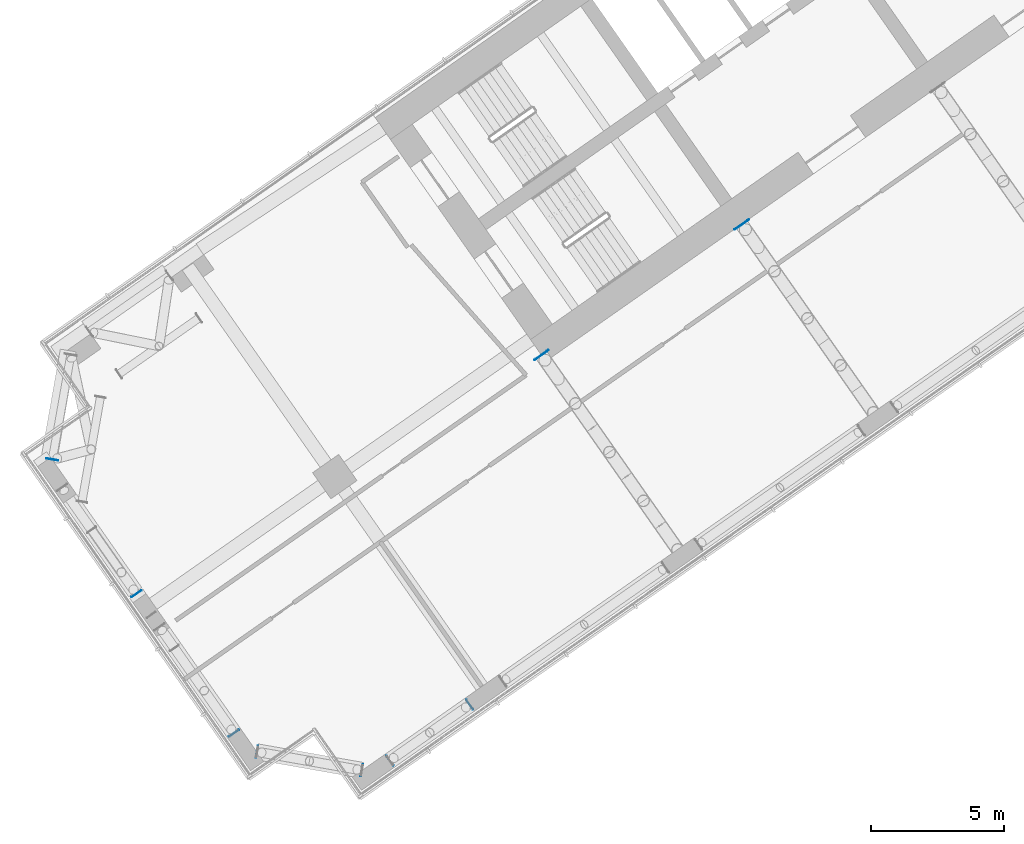
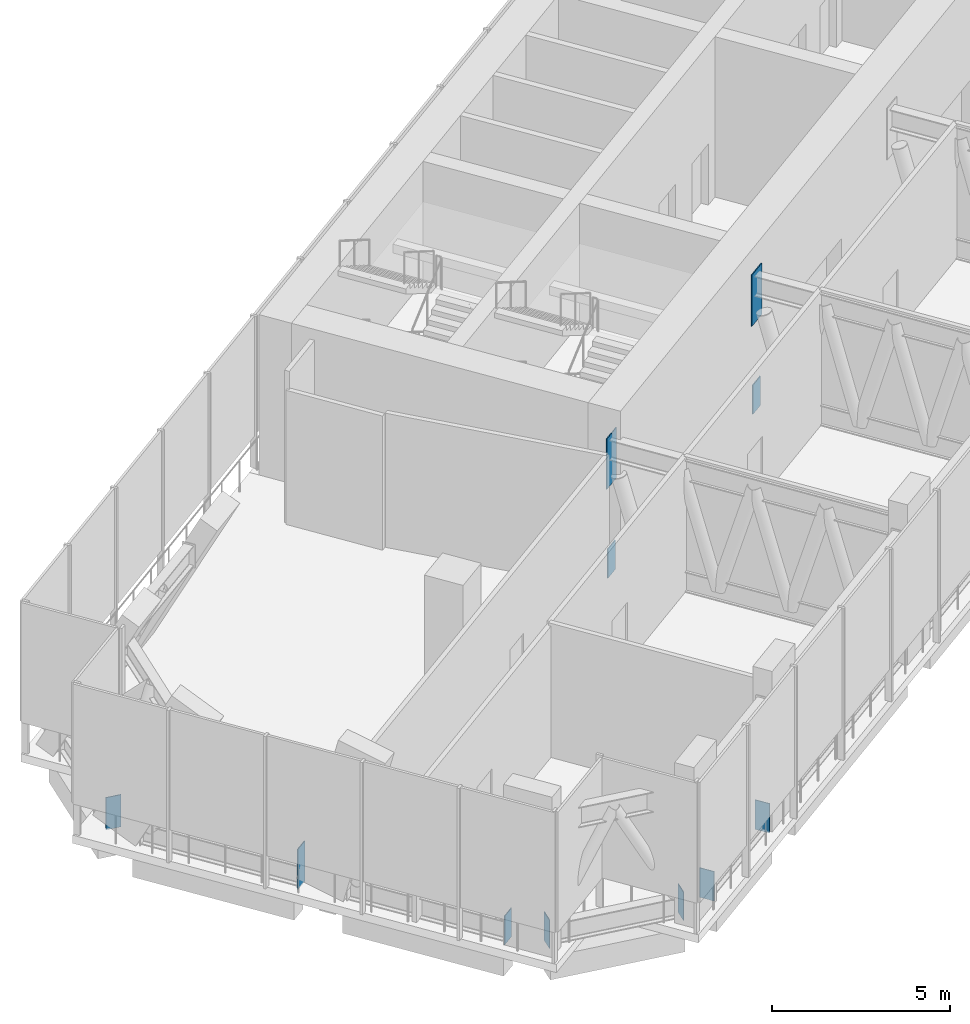
# One storey, part 9 of 24: 11 discrete accessories.
"""IFC4 building model written with IfcOpenShell, lengths in metres."""

from ifc_helpers import new_model, si_unit, direction, frame, origin, origin_2d, place, context, subcontext, project, spatial, rectangle, extrude, material, layer, layer_set, type_object, element, save


model = new_model("IFC4")

# Units and contexts
model_context = context("Model", 3, precision=1e-05, world=origin(), true_north=direction((0.0, 1.0)))
body_context = subcontext(model_context, "Body", "Model", "MODEL_VIEW")
ifc_project = project(units=[si_unit("LENGTHUNIT", "METRE"), si_unit("AREAUNIT", "SQUARE_METRE"), si_unit("VOLUMEUNIT", "CUBIC_METRE"), si_unit("PLANEANGLEUNIT", "RADIAN"), si_unit("MASSUNIT", "GRAM", prefix="KILO")], contexts=[model_context])

# Site, building, storey
site_placement = place(None, origin())
site = spatial("IfcSite", under=ifc_project, at=site_placement, CompositionType="ELEMENT")
building_placement = place(site_placement, origin())
building = spatial("IfcBuilding", under=site, at=building_placement, Name="Tel Ilan Convention Tower", CompositionType="ELEMENT")
storey_placement = place(building_placement, frame((0.0, 0.0, 126.5)))
storey = spatial("IfcBuildingStorey", under=building, at=storey_placement, Name="L28", CompositionType="ELEMENT", Elevation=126.5)

# Discrete accessories
ifc_material_1 = material(Name="Steel S355", Category="steel")
ifc_layer_1 = layer(ifc_material_1, 0.030029296875)
ifc_layer_set_1 = layer_set([ifc_layer_1], Name="Cast-in Plate 30 mm Steel S355")
discrete_accessory_type_1 = type_object("IfcDiscreteAccessoryType", Name="Cast-in Plate 30 mm Steel S355", PredefinedType="ANCHORPLATE", material=ifc_layer_set_1)
discrete_accessory_1_placement = place(storey_placement, frame((-14.16259765625, -11.15576171875, -0.14990234375), z_axis=(0.0, 0.0, 1.0), x_axis=(-0.573576436351, 0.819152044289, 0.0)))
element("IfcDiscreteAccessory", 1, at=discrete_accessory_1_placement, inside=storey, type_object=discrete_accessory_type_1, Name="L28 W-F2 outrigger cast-in plate", PredefinedType="ANCHORPLATE", context=body_context, shape_type="SweptSolid", body=[
    extrude(rectangle(XDim=0.030029296875, YDim=0.5, at=origin_2d()), origin(), (0.0, 0.0, 1.0), 1.0),
])
discrete_accessory_2_placement = place(storey_placement, frame((-14.16259765625, -11.15576171875, 2.90869140625), z_axis=(0.0, 0.0, 1.0), x_axis=(-0.573576436351, 0.819152044289, 0.0)))
element("IfcDiscreteAccessory", 2, at=discrete_accessory_2_placement, inside=storey, type_object=discrete_accessory_type_1, Name="L28 W-F2 outrigger cast-in plate", PredefinedType="ANCHORPLATE", context=body_context, shape_type="SweptSolid", body=[
    extrude(rectangle(XDim=0.030029296875, YDim=0.656982421875, at=origin_2d()), origin(), (0.0, 0.0, 1.0), 1.76123046875),
])
discrete_accessory_3_placement = place(storey_placement, frame((-21.70703125, -16.072265625, -0.14990234375), z_axis=(0.0, 0.0, 1.0), x_axis=(-0.573576436351, 0.819152044289, 0.0)))
element("IfcDiscreteAccessory", 3, at=discrete_accessory_3_placement, inside=storey, type_object=discrete_accessory_type_1, Name="L28 W-F3 outrigger cast-in plate", PredefinedType="ANCHORPLATE", context=body_context, shape_type="SweptSolid", body=[
    extrude(rectangle(XDim=0.030029296875, YDim=0.5, at=origin_2d()), origin(), (0.0, 0.0, 1.0), 1.0),
])
discrete_accessory_4_placement = place(storey_placement, frame((-21.70703125, -16.072265625, 2.9404296875), z_axis=(0.0, 0.0, 1.0), x_axis=(-0.573576436351, 0.819152044289, 0.0)))
element("IfcDiscreteAccessory", 4, at=discrete_accessory_4_placement, inside=storey, type_object=discrete_accessory_type_1, Name="L28 W-F3 outrigger cast-in plate", PredefinedType="ANCHORPLATE", context=body_context, shape_type="SweptSolid", body=[
    extrude(rectangle(XDim=0.030029296875, YDim=0.656982421875, at=origin_2d()), origin(), (0.0, 0.0, 1.0), 1.729736328125),
])
ifc_material_2 = material(Name="Steel S355", Category="steel")
ifc_layer_2 = layer(ifc_material_2, 0.02490234375)
ifc_layer_set_2 = layer_set([ifc_layer_2], Name="End Plate 25 mm Steel S355")
discrete_accessory_type_2 = type_object("IfcDiscreteAccessoryType", Name="End Plate 25 mm Steel S355", PredefinedType="BRACKET", material=ifc_layer_set_2)
for number, where, z_axis, x_axis, name in (
    (5, (-27.41748046875, -31.344482421875, -0.050048828125), (0.0, 0.0, 1.0), (-0.819152044289, -0.573576436351, 0.0), "L28 W-F4-W-FC belt end plate"),
    (6, (-24.406982421875, -29.23681640625, -0.050048828125), (0.0, 0.0, 1.0), (0.819152044289, 0.573576436351, 0.0), "L28 W-F4-W-FC belt end plate"),
):
    element("IfcDiscreteAccessory", number, at=place(storey_placement, frame(where, z_axis=z_axis, x_axis=x_axis)), inside=storey, type_object=discrete_accessory_type_2, Name=name, PredefinedType="BRACKET", context=body_context, shape_type="SweptSolid", body=[
        extrude(rectangle(XDim=0.02490234375, YDim=0.45556640625, at=origin_2d()), origin(), (0.0, 0.0, 1.0), 1.009765625),
    ])
for number, where, z_axis, x_axis, name in (
    (7, (-32.416748046875, -31.010498046875, -0.05029296875), (0.0, 0.0, 1.0), (-0.984807753012, 0.173648177667, 0.0), "L28 W-FC-W-E1 belt end plate"),
    (8, (-28.47216796875, -31.7060546875, -0.05029296875), (0.0, 0.0, 1.0), (0.984807753012, -0.173648177667, 0.0), "L28 W-FC-W-E1 belt end plate"),
):
    element("IfcDiscreteAccessory", number, at=place(storey_placement, frame(where, z_axis=z_axis, x_axis=x_axis)), inside=storey, type_object=discrete_accessory_type_2, Name=name, PredefinedType="BRACKET", context=body_context, shape_type="SweptSolid", body=[
        extrude(rectangle(XDim=0.02490234375, YDim=0.45556640625, at=origin_2d()), origin(), (0.0, 0.0, 1.0), 0.973388671875),
    ])
discrete_accessory_5_placement = place(storey_placement, frame((-33.2841796875, -30.31005859375, -0.050048828125), z_axis=(0.0, 0.0, 1.0), x_axis=(0.573576436351, -0.819152044289, 0.0)))
element("IfcDiscreteAccessory", 9, at=discrete_accessory_5_placement, inside=storey, type_object=discrete_accessory_type_2, Name="L28 W-E1-W-E2 belt end plate", PredefinedType="BRACKET", context=body_context, shape_type="SweptSolid", body=[
    extrude(rectangle(XDim=0.02490234375, YDim=0.45556640625, at=origin_2d()), origin(), (0.0, 0.0, 1.0), 0.98291015625),
])
discrete_accessory_6_placement = place(storey_placement, frame((-36.96142578125, -25.05859375, -0.050048828125), z_axis=(0.0, 0.0, 1.0), x_axis=(0.573576436351, -0.819152044289, 0.0)))
element("IfcDiscreteAccessory", 10, at=discrete_accessory_6_placement, inside=storey, type_object=discrete_accessory_type_2, Name="L28 W-E2-W-E3 belt end plate", PredefinedType="BRACKET", context=body_context, shape_type="SweptSolid", body=[
    extrude(rectangle(XDim=0.02490234375, YDim=0.45556640625, at=origin_2d()), origin(), (0.0, 0.0, 1.0), 1.3828125),
])
discrete_accessory_7_placement = place(storey_placement, frame((-40.125244140625, -20.00146484375, -0.050048828125), z_axis=(0.0, 0.0, 1.0), x_axis=(-0.173648177667, -0.984807753012, 0.0)))
element("IfcDiscreteAccessory", 11, at=discrete_accessory_7_placement, inside=storey, type_object=discrete_accessory_type_2, Name="L28 W-E3-W-BC belt end plate", PredefinedType="BRACKET", context=body_context, shape_type="SweptSolid", body=[
    extrude(rectangle(XDim=0.02490234375, YDim=0.45556640625, at=origin_2d()), origin(), (0.0, 0.0, 1.0), 1.10693359375),
])

save(model, "model.ifc")
